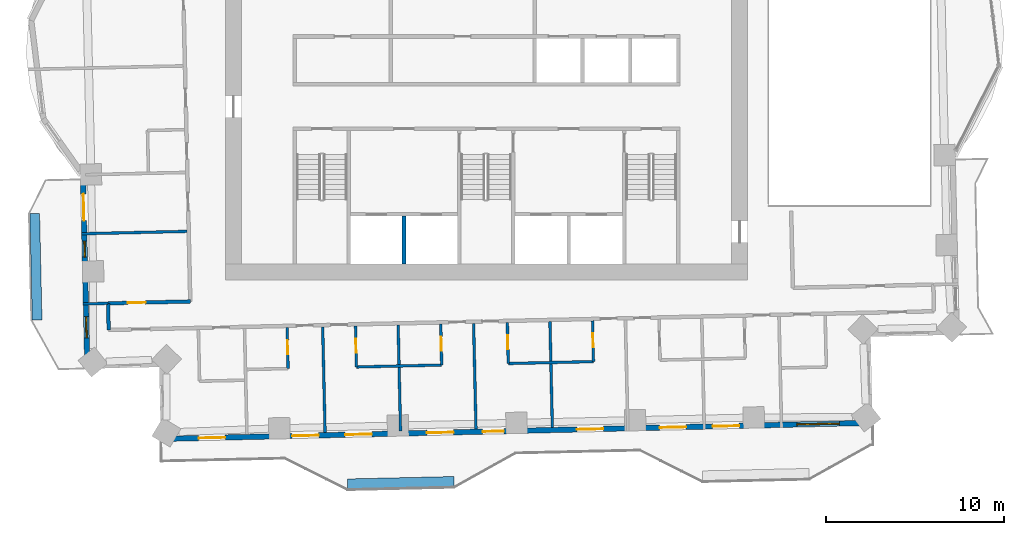
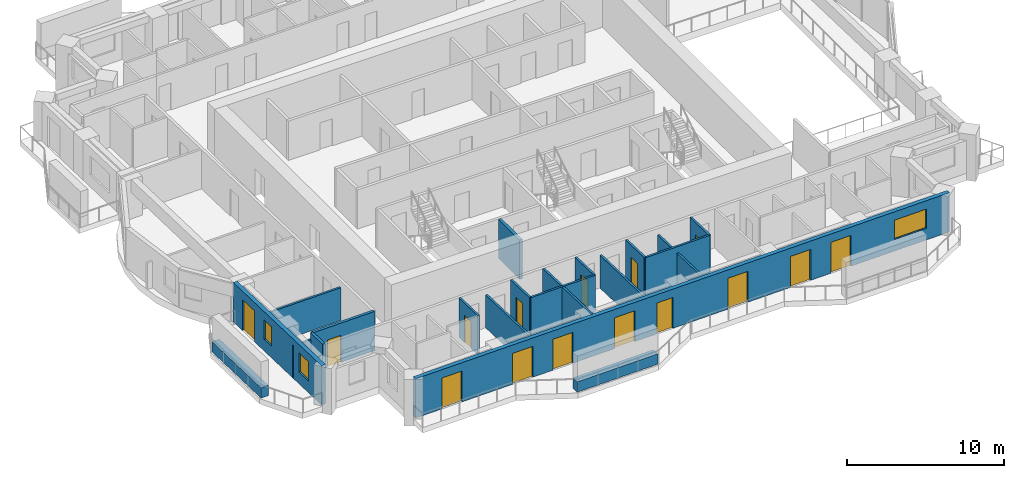
# One storey, part 4 of 14: 20 walls, 15 doors, 3 windows, 18 openings.
"""IFC4 building model written with IfcOpenShell, lengths in metres."""

from ifc_helpers import new_model, si_unit, direction, frame, frame_2d, origin, place, context, subcontext, project, spatial, rectangle, extrude, material, layer, layer_set, type_object, element, fill, save


model = new_model("IFC4")

# Units and contexts
model_context = context("Model", 3, precision=1e-05, world=origin(), true_north=direction((0.0, 1.0)))
body_context = subcontext(model_context, "Body", "Model", "MODEL_VIEW")
ifc_project = project(units=[si_unit("LENGTHUNIT", "METRE"), si_unit("AREAUNIT", "SQUARE_METRE"), si_unit("VOLUMEUNIT", "CUBIC_METRE"), si_unit("PLANEANGLEUNIT", "RADIAN"), si_unit("MASSUNIT", "GRAM", prefix="KILO")], contexts=[model_context])

# Site, building, storey
site_placement = place(None, origin())
site = spatial("IfcSite", under=ifc_project, at=site_placement, CompositionType="ELEMENT")
building_placement = place(site_placement, origin())
building = spatial("IfcBuilding", under=site, at=building_placement, Name="Mangrove Gate Tower", CompositionType="ELEMENT")
storey_placement = place(building_placement, frame((0.0, 0.0, 182.5)))
storey = spatial("IfcBuildingStorey", under=building, at=storey_placement, Name="L46", CompositionType="ELEMENT", Elevation=182.5)

# Walls
ifc_material_1 = material(Name="Concrete C60/75", Category="concrete")
ifc_layer_1 = layer(ifc_material_1, 0.199951171875)
ifc_layer_set_1 = layer_set([ifc_layer_1], Name="Core shaft wall 200 C60/75")
wall_type_1 = type_object("IfcWallType", Name="Core shaft wall 200 C60/75", PredefinedType="SHEAR", material=ifc_layer_set_1)
wall_1_placement = place(storey_placement, frame((-4.64990234375, -10.800048828125, 0.0), z_axis=(0.0, 0.0, 1.0), x_axis=(0.0, 1.0, 0.0)))
element("IfcWall", 1, at=wall_1_placement, inside=storey, type_object=wall_type_1, Name="WALL-L46-CORE-16", PredefinedType="SHEAR", context=body_context, shape_type="SweptSolid", body=[
    extrude(rectangle(XDim=2.699951171875, YDim=0.199951171875, at=frame_2d((1.35009765625, 0.0))), origin(), (0.0, 0.0, 1.0), 3.050048828125),
])
ifc_material_2 = material(Name="Gypsum board on steel stud, EI 60", Category="steel")
ifc_layer_2 = layer(ifc_material_2, 0.199951171875)
ifc_layer_set_2 = layer_set([ifc_layer_2], Name="Corridor wall EI 60")
wall_type_2 = type_object("IfcWallType", Name="Corridor wall EI 60", PredefinedType="PARTITIONING", material=ifc_layer_set_2)
wall_2_placement = place(storey_placement, frame((-21.279052734375, -14.52294921875, 0.0), z_axis=(0.0, 0.0, 1.0), x_axis=(-0.022632637625, 0.99974384905, 0.0)))
element("IfcWall", 2, at=wall_2_placement, inside=storey, type_object=wall_type_2, Name="WALL-L46-025", PredefinedType="PARTITIONING", context=body_context, shape_type="SweptSolid", body=[
    extrude(rectangle(XDim=1.49951171875, YDim=0.199951171875, at=frame_2d((0.749755859375, 0.0))), origin(), (0.0, 0.0, 1.0), 3.050048828125),
])

# Wall, opening, door
wall_3_placement = place(storey_placement, frame((-21.31298828125, -13.02392578125, 0.0), z_axis=(0.0, 0.0, 1.0), x_axis=(0.999738699021, 0.022858995594, 0.0)))
wall_3 = element("IfcWall", 3, at=wall_3_placement, inside=storey, type_object=wall_type_2, Name="WALL-L46-028", PredefinedType="PARTITIONING", context=body_context, shape_type="SweptSolid", body=[
    extrude(rectangle(XDim=4.63525390625, YDim=0.199951171875, at=frame_2d((2.317626953125, 0.0))), origin(), (0.0, 0.0, 1.0), 3.050048828125),
])
opening_1_placement = place(wall_3_placement, frame((1.116943359375, 0.0, 0.0)))
opening_1 = element("IfcOpeningElement", 4, at=opening_1_placement, cuts=wall_3, Name="Opening AD", PredefinedType="OPENING", context=body_context, shape_type="SweptSolid", body=[
    extrude(rectangle(XDim=1.0, YDim=2.10009765625, at=frame_2d((0.5, 1.050048828125))), frame((0.0, 0.10986328125, 0.0), z_axis=(0.0, -1.0, 0.0), x_axis=(1.0, 0.0, 0.0)), (0.0, 0.0, 1.0), 0.219970703125),
])
ifc_material_3 = material(Name="Timber door leaf", Category="wood")
door_type_1 = type_object("IfcDoorType", Name="Amenity door 1000", OperationType="SINGLE_SWING_LEFT", PredefinedType="DOOR", material=ifc_material_3)
door_1_placement = place(opening_1_placement, origin())
door_1 = element("IfcDoor", 5, at=door_1_placement, inside=storey, type_object=door_type_1, Name="DOOR-L46-KIT-c5b", OperationType="SINGLE_SWING_LEFT", OverallHeight=2.10009765625, OverallWidth=1.0, PredefinedType="DOOR", context=body_context, shape_type="SweptSolid", body=[
    extrude(rectangle(XDim=1.0, YDim=2.10009765625, at=frame_2d((0.5, 1.050048828125))), frame((0.0, 0.02490234375, 0.0), z_axis=(0.0, -1.0, 0.0), x_axis=(1.0, 0.0, 0.0)), (0.0, 0.0, 1.0), 0.050048828125),
])
fill(opening_1, door_1)

# Wall, openings, door, windows
ifc_material_4 = material(Name="Limestone", Category="masonry")
ifc_layer_3 = layer(ifc_material_4, 0.0400390625, Name="Limestone cladding")
ifc_material_5 = material(Name="Ventilated air gap")
ifc_layer_4 = layer(ifc_material_5, 0.0400390625, Name="Ventilated cavity")
ifc_material_6 = material(Name="Mineral wool insulation")
ifc_layer_5 = layer(ifc_material_6, 0.06005859375, Name="Insulation")
ifc_material_7 = material(Name="Breather membrane")
ifc_layer_6 = layer(ifc_material_7, 0.001953125, Name="Breather membrane")
ifc_material_8 = material(Name="Concrete C20/25 blockwork", Category="masonry")
ifc_layer_7 = layer(ifc_material_8, 0.14990234375, Name="Blockwork backing wall")
ifc_material_9 = material(Name="Gypsum plaster")
ifc_layer_8 = layer(ifc_material_9, 0.008056640625, Name="Internal plaster")
ifc_layer_set_3 = layer_set([ifc_layer_3, ifc_layer_4, ifc_layer_5, ifc_layer_6, ifc_layer_7, ifc_layer_8], Name="External wall 300 limestone cladding")
wall_type_3 = type_object("IfcWallType", Name="External wall 300 limestone cladding", PredefinedType="SOLIDWALL", material=ifc_layer_set_3)
wall_4_placement = place(storey_placement, frame((-22.72900390625, -5.72509765625, 0.0), z_axis=(0.0, 0.0, 1.0), x_axis=(0.022726014582, -0.999741730779, 0.0)))
wall_4 = element("IfcWall", 6, at=wall_4_placement, inside=storey, type_object=wall_type_3, Name="WALL-L46-W10", PredefinedType="SOLIDWALL", context=body_context, shape_type="SweptSolid", body=[
    extrude(rectangle(XDim=10.82861328125, YDim=0.300048828125, at=frame_2d((5.414306640625, 0.0))), origin(), (0.0, 0.0, 1.0), 3.050048828125),
])
opening_2_placement = place(wall_4_placement, frame((1.14208984375, 0.0, 0.0)))
opening_2 = element("IfcOpeningElement", 7, at=opening_2_placement, cuts=wall_4, Name="Opening BD1", PredefinedType="OPENING", context=body_context, shape_type="SweptSolid", body=[
    extrude(rectangle(XDim=1.5, YDim=2.39990234375, at=frame_2d((0.75, 1.199951171875))), frame((0.0, 0.159912109375, 0.0), z_axis=(0.0, -1.0, 0.0), x_axis=(1.0, 0.0, 0.0)), (0.0, 0.0, 1.0), 0.320068359375),
])
opening_3_placement = place(wall_4_placement, frame((3.798095703125, 0.0, 0.89990234375)))
opening_3 = element("IfcOpeningElement", 8, at=opening_3_placement, cuts=wall_4, Name="Opening W5", PredefinedType="OPENING", context=body_context, shape_type="SweptSolid", body=[
    extrude(rectangle(XDim=0.89990234375, YDim=1.5, at=frame_2d((0.449951171875, 0.75))), frame((0.0, 0.159912109375, 0.0), z_axis=(0.0, -1.0, 0.0), x_axis=(1.0, 0.0, 0.0)), (0.0, 0.0, 1.0), 0.320068359375),
])
opening_4_placement = place(wall_4_placement, frame((8.050048828125, 0.0, 0.89990234375)))
opening_4 = element("IfcOpeningElement", 9, at=opening_4_placement, cuts=wall_4, Name="Opening W1", PredefinedType="OPENING", context=body_context, shape_type="SweptSolid", body=[
    extrude(rectangle(XDim=1.199951171875, YDim=1.5, at=frame_2d((0.60009765625, 0.75))), frame((0.0, 0.159912109375, 0.0), z_axis=(0.0, -1.0, 0.0), x_axis=(1.0, 0.0, 0.0)), (0.0, 0.0, 1.0), 0.320068359375),
])
ifc_material_10 = material(Name="Aluminium frame with laminated clear glass", Category="aluminium")
door_type_2 = type_object("IfcDoorType", Name="Balcony sliding door 1500x2400", OperationType="SLIDING_TO_LEFT", PredefinedType="DOOR", material=ifc_material_10)
door_2_placement = place(opening_2_placement, origin())
door_2 = element("IfcDoor", 10, at=door_2_placement, inside=storey, type_object=door_type_2, Name="DOOR-L46-W10-1", OperationType="SLIDING_TO_LEFT", OverallHeight=2.39990234375, OverallWidth=1.5, PredefinedType="DOOR", context=body_context, shape_type="SweptSolid", body=[
    extrude(rectangle(XDim=1.5, YDim=2.39990234375, at=frame_2d((0.75, 1.199951171875))), frame((0.0, 0.02490234375, 0.0), z_axis=(0.0, -1.0, 0.0), x_axis=(1.0, 0.0, 0.0)), (0.0, 0.0, 1.0), 0.050048828125),
])
fill(opening_2, door_2)
ifc_material_11 = material(Name="Aluminium frame with double-glazed low-e glass", Category="aluminium")
window_type_1 = type_object("IfcWindowType", Name="Narrow window 900x1500", PartitioningType="SINGLE_PANEL", PredefinedType="WINDOW", material=ifc_material_11)
window_1_placement = place(opening_3_placement, origin())
window_1 = element("IfcWindow", 11, at=window_1_placement, inside=storey, type_object=window_type_1, Name="WIN-L46-W10-2", OverallHeight=1.5, OverallWidth=0.89990234375, PartitioningType="SINGLE_PANEL", PredefinedType="WINDOW", context=body_context, shape_type="SweptSolid", body=[
    extrude(rectangle(XDim=0.89990234375, YDim=1.5, at=frame_2d((0.449951171875, 0.75))), frame((0.0, 0.030029296875, 0.0), z_axis=(0.0, -1.0, 0.0), x_axis=(1.0, 0.0, 0.0)), (0.0, 0.0, 1.0), 0.06005859375),
])
fill(opening_3, window_1)
ifc_material_12 = material(Name="Aluminium frame with double-glazed low-e glass", Category="aluminium")
window_type_2 = type_object("IfcWindowType", Name="Side lite 1200x1500", PartitioningType="SINGLE_PANEL", PredefinedType="WINDOW", material=ifc_material_12)
window_2_placement = place(opening_4_placement, origin())
window_2 = element("IfcWindow", 12, at=window_2_placement, inside=storey, type_object=window_type_2, Name="WIN-L46-W10-3", OverallHeight=1.5, OverallWidth=1.199951171875, PartitioningType="SINGLE_PANEL", PredefinedType="WINDOW", context=body_context, shape_type="SweptSolid", body=[
    extrude(rectangle(XDim=1.199951171875, YDim=1.5, at=frame_2d((0.60009765625, 0.75))), frame((0.0, 0.030029296875, 0.0), z_axis=(0.0, -1.0, 0.0), x_axis=(1.0, 0.0, 0.0)), (0.0, 0.0, 1.0), 0.06005859375),
])
fill(opening_4, window_2)

# Wall, openings, doors, window
wall_5_placement = place(storey_placement, frame((-18.18896484375, -20.655029296875, 0.0), z_axis=(0.0, 0.0, 1.0), x_axis=(0.999742285265, 0.022701609063, 0.0)))
wall_5 = element("IfcWall", 13, at=wall_5_placement, inside=storey, type_object=wall_type_3, Name="WALL-L46-S13", PredefinedType="SOLIDWALL", context=body_context, shape_type="SweptSolid", body=[
    extrude(rectangle(XDim=39.7802734375, YDim=0.300048828125, at=frame_2d((19.89013671875, 0.0))), origin(), (0.0, 0.0, 1.0), 3.050048828125),
])
opening_5_placement = place(wall_5_placement, frame((1.972900390625, 0.0, 0.0)))
opening_5 = element("IfcOpeningElement", 14, at=opening_5_placement, cuts=wall_5, Name="Opening BD1", PredefinedType="OPENING", context=body_context, shape_type="SweptSolid", body=[
    extrude(rectangle(XDim=1.5, YDim=2.39990234375, at=frame_2d((0.75, 1.199951171875))), frame((0.0, 0.159912109375, 0.0), z_axis=(0.0, -1.0, 0.0), x_axis=(1.0, 0.0, 0.0)), (0.0, 0.0, 1.0), 0.320068359375),
])
opening_6_placement = place(wall_5_placement, frame((7.239990234375, 0.0, 0.0)))
opening_6 = element("IfcOpeningElement", 15, at=opening_6_placement, cuts=wall_5, Name="Opening BD1", PredefinedType="OPENING", context=body_context, shape_type="SweptSolid", body=[
    extrude(rectangle(XDim=1.5, YDim=2.39990234375, at=frame_2d((0.75, 1.199951171875))), frame((0.0, 0.159912109375, 0.0), z_axis=(0.0, -1.0, 0.0), x_axis=(1.0, 0.0, 0.0)), (0.0, 0.0, 1.0), 0.320068359375),
])
opening_7_placement = place(wall_5_placement, frame((10.22998046875, 0.0, 0.0)))
opening_7 = element("IfcOpeningElement", 16, at=opening_7_placement, cuts=wall_5, Name="Opening BD1", PredefinedType="OPENING", context=body_context, shape_type="SweptSolid", body=[
    extrude(rectangle(XDim=1.5, YDim=2.39990234375, at=frame_2d((0.75, 1.199951171875))), frame((0.0, 0.159912109375, 0.0), z_axis=(0.0, -1.0, 0.0), x_axis=(1.0, 0.0, 0.0)), (0.0, 0.0, 1.0), 0.320068359375),
])
opening_8_placement = place(wall_5_placement, frame((14.830078125, 0.0, 0.0)))
opening_8 = element("IfcOpeningElement", 17, at=opening_8_placement, cuts=wall_5, Name="Opening BD1", PredefinedType="OPENING", context=body_context, shape_type="SweptSolid", body=[
    extrude(rectangle(XDim=1.5, YDim=2.39990234375, at=frame_2d((0.75, 1.199951171875))), frame((0.0, 0.159912109375, 0.0), z_axis=(0.0, -1.0, 0.0), x_axis=(1.0, 0.0, 0.0)), (0.0, 0.0, 1.0), 0.320068359375),
])
opening_9_placement = place(wall_5_placement, frame((17.969970703125, 0.0, 0.0)))
opening_9 = element("IfcOpeningElement", 18, at=opening_9_placement, cuts=wall_5, Name="Opening BD2", PredefinedType="OPENING", context=body_context, shape_type="SweptSolid", body=[
    extrude(rectangle(XDim=1.199951171875, YDim=2.39990234375, at=frame_2d((0.60009765625, 1.199951171875))), frame((0.0, 0.159912109375, 0.0), z_axis=(0.0, -1.0, 0.0), x_axis=(1.0, 0.0, 0.0)), (0.0, 0.0, 1.0), 0.320068359375),
])
opening_10_placement = place(wall_5_placement, frame((23.27490234375, 0.0, 0.0)))
opening_10 = element("IfcOpeningElement", 19, at=opening_10_placement, cuts=wall_5, Name="Opening BD1", PredefinedType="OPENING", context=body_context, shape_type="SweptSolid", body=[
    extrude(rectangle(XDim=1.5, YDim=2.39990234375, at=frame_2d((0.75, 1.199951171875))), frame((0.0, 0.159912109375, 0.0), z_axis=(0.0, -1.0, 0.0), x_axis=(1.0, 0.0, 0.0)), (0.0, 0.0, 1.0), 0.320068359375),
])
opening_11_placement = place(wall_5_placement, frame((27.93505859375, 0.0, 0.0)))
opening_11 = element("IfcOpeningElement", 20, at=opening_11_placement, cuts=wall_5, Name="Opening BD1", PredefinedType="OPENING", context=body_context, shape_type="SweptSolid", body=[
    extrude(rectangle(XDim=1.5, YDim=2.39990234375, at=frame_2d((0.75, 1.199951171875))), frame((0.0, 0.159912109375, 0.0), z_axis=(0.0, -1.0, 0.0), x_axis=(1.0, 0.0, 0.0)), (0.0, 0.0, 1.0), 0.320068359375),
])
opening_12_placement = place(wall_5_placement, frame((30.925048828125, 0.0, 0.0)))
opening_12 = element("IfcOpeningElement", 21, at=opening_12_placement, cuts=wall_5, Name="Opening BD1", PredefinedType="OPENING", context=body_context, shape_type="SweptSolid", body=[
    extrude(rectangle(XDim=1.5, YDim=2.39990234375, at=frame_2d((0.75, 1.199951171875))), frame((0.0, 0.159912109375, 0.0), z_axis=(0.0, -1.0, 0.0), x_axis=(1.0, 0.0, 0.0)), (0.0, 0.0, 1.0), 0.320068359375),
])
opening_13_placement = place(wall_5_placement, frame((35.6650390625, 0.0, 0.89990234375)))
opening_13 = element("IfcOpeningElement", 22, at=opening_13_placement, cuts=wall_5, Name="Opening W2", PredefinedType="OPENING", context=body_context, shape_type="SweptSolid", body=[
    extrude(rectangle(XDim=2.39990234375, YDim=1.5, at=frame_2d((1.199951171875, 0.75))), frame((0.0, 0.159912109375, 0.0), z_axis=(0.0, -1.0, 0.0), x_axis=(1.0, 0.0, 0.0)), (0.0, 0.0, 1.0), 0.320068359375),
])
ifc_material_13 = material(Name="Aluminium frame with laminated clear glass", Category="aluminium")
door_type_3 = type_object("IfcDoorType", Name="Balcony sliding door 1200x2400", OperationType="SLIDING_TO_LEFT", PredefinedType="DOOR", material=ifc_material_13)
door_3_placement = place(opening_9_placement, origin())
door_3 = element("IfcDoor", 23, at=door_3_placement, inside=storey, type_object=door_type_3, Name="DOOR-L46-S13-5", OperationType="SLIDING_TO_LEFT", OverallHeight=2.39990234375, OverallWidth=1.199951171875, PredefinedType="DOOR", context=body_context, shape_type="SweptSolid", body=[
    extrude(rectangle(XDim=1.199951171875, YDim=2.39990234375, at=frame_2d((0.60009765625, 1.199951171875))), frame((0.0, 0.02490234375, 0.0), z_axis=(0.0, -1.0, 0.0), x_axis=(1.0, 0.0, 0.0)), (0.0, 0.0, 1.0), 0.050048828125),
])
fill(opening_9, door_3)
door_4_placement = place(opening_5_placement, origin())
door_4 = element("IfcDoor", 24, at=door_4_placement, inside=storey, type_object=door_type_2, Name="DOOR-L46-S13-1", OperationType="SLIDING_TO_LEFT", OverallHeight=2.39990234375, OverallWidth=1.5, PredefinedType="DOOR", context=body_context, shape_type="SweptSolid", body=[
    extrude(rectangle(XDim=1.5, YDim=2.39990234375, at=frame_2d((0.75, 1.199951171875))), frame((0.0, 0.02490234375, 0.0), z_axis=(0.0, -1.0, 0.0), x_axis=(1.0, 0.0, 0.0)), (0.0, 0.0, 1.0), 0.050048828125),
])
fill(opening_5, door_4)
door_5_placement = place(opening_6_placement, origin())
door_5 = element("IfcDoor", 25, at=door_5_placement, inside=storey, type_object=door_type_2, Name="DOOR-L46-S13-2", OperationType="SLIDING_TO_LEFT", OverallHeight=2.39990234375, OverallWidth=1.5, PredefinedType="DOOR", context=body_context, shape_type="SweptSolid", body=[
    extrude(rectangle(XDim=1.5, YDim=2.39990234375, at=frame_2d((0.75, 1.199951171875))), frame((0.0, 0.02490234375, 0.0), z_axis=(0.0, -1.0, 0.0), x_axis=(1.0, 0.0, 0.0)), (0.0, 0.0, 1.0), 0.050048828125),
])
fill(opening_6, door_5)
door_6_placement = place(opening_7_placement, origin())
door_6 = element("IfcDoor", 26, at=door_6_placement, inside=storey, type_object=door_type_2, Name="DOOR-L46-S13-3", OperationType="SLIDING_TO_LEFT", OverallHeight=2.39990234375, OverallWidth=1.5, PredefinedType="DOOR", context=body_context, shape_type="SweptSolid", body=[
    extrude(rectangle(XDim=1.5, YDim=2.39990234375, at=frame_2d((0.75, 1.199951171875))), frame((0.0, 0.02490234375, 0.0), z_axis=(0.0, -1.0, 0.0), x_axis=(1.0, 0.0, 0.0)), (0.0, 0.0, 1.0), 0.050048828125),
])
fill(opening_7, door_6)
door_7_placement = place(opening_8_placement, origin())
door_7 = element("IfcDoor", 27, at=door_7_placement, inside=storey, type_object=door_type_2, Name="DOOR-L46-S13-4", OperationType="SLIDING_TO_LEFT", OverallHeight=2.39990234375, OverallWidth=1.5, PredefinedType="DOOR", context=body_context, shape_type="SweptSolid", body=[
    extrude(rectangle(XDim=1.5, YDim=2.39990234375, at=frame_2d((0.75, 1.199951171875))), frame((0.0, 0.02490234375, 0.0), z_axis=(0.0, -1.0, 0.0), x_axis=(1.0, 0.0, 0.0)), (0.0, 0.0, 1.0), 0.050048828125),
])
fill(opening_8, door_7)
door_8_placement = place(opening_10_placement, origin())
door_8 = element("IfcDoor", 28, at=door_8_placement, inside=storey, type_object=door_type_2, Name="DOOR-L46-S13-6", OperationType="SLIDING_TO_LEFT", OverallHeight=2.39990234375, OverallWidth=1.5, PredefinedType="DOOR", context=body_context, shape_type="SweptSolid", body=[
    extrude(rectangle(XDim=1.5, YDim=2.39990234375, at=frame_2d((0.75, 1.199951171875))), frame((0.0, 0.02490234375, 0.0), z_axis=(0.0, -1.0, 0.0), x_axis=(1.0, 0.0, 0.0)), (0.0, 0.0, 1.0), 0.050048828125),
])
fill(opening_10, door_8)
door_9_placement = place(opening_11_placement, origin())
door_9 = element("IfcDoor", 29, at=door_9_placement, inside=storey, type_object=door_type_2, Name="DOOR-L46-S13-7", OperationType="SLIDING_TO_LEFT", OverallHeight=2.39990234375, OverallWidth=1.5, PredefinedType="DOOR", context=body_context, shape_type="SweptSolid", body=[
    extrude(rectangle(XDim=1.5, YDim=2.39990234375, at=frame_2d((0.75, 1.199951171875))), frame((0.0, 0.02490234375, 0.0), z_axis=(0.0, -1.0, 0.0), x_axis=(1.0, 0.0, 0.0)), (0.0, 0.0, 1.0), 0.050048828125),
])
fill(opening_11, door_9)
door_10_placement = place(opening_12_placement, origin())
door_10 = element("IfcDoor", 30, at=door_10_placement, inside=storey, type_object=door_type_2, Name="DOOR-L46-S13-8", OperationType="SLIDING_TO_LEFT", OverallHeight=2.39990234375, OverallWidth=1.5, PredefinedType="DOOR", context=body_context, shape_type="SweptSolid", body=[
    extrude(rectangle(XDim=1.5, YDim=2.39990234375, at=frame_2d((0.75, 1.199951171875))), frame((0.0, 0.02490234375, 0.0), z_axis=(0.0, -1.0, 0.0), x_axis=(1.0, 0.0, 0.0)), (0.0, 0.0, 1.0), 0.050048828125),
])
fill(opening_12, door_10)
ifc_material_14 = material(Name="Aluminium frame with double-glazed low-e glass", Category="aluminium")
window_type_3 = type_object("IfcWindowType", Name="Corner room window 2400x1500", PartitioningType="DOUBLE_PANEL_VERTICAL", PredefinedType="WINDOW", material=ifc_material_14)
window_3_placement = place(opening_13_placement, origin())
window_3 = element("IfcWindow", 31, at=window_3_placement, inside=storey, type_object=window_type_3, Name="WIN-L46-S13-9", OverallHeight=1.5, OverallWidth=2.39990234375, PartitioningType="DOUBLE_PANEL_VERTICAL", PredefinedType="WINDOW", context=body_context, shape_type="SweptSolid", body=[
    extrude(rectangle(XDim=2.39990234375, YDim=1.5, at=frame_2d((1.199951171875, 0.75))), frame((0.0, 0.030029296875, 0.0), z_axis=(0.0, -1.0, 0.0), x_axis=(1.0, 0.0, 0.0)), (0.0, 0.0, 1.0), 0.06005859375),
])
fill(opening_13, window_3)

# Walls
ifc_material_15 = material(Name="Gypsum board on steel stud, EI 60", Category="steel")
ifc_layer_9 = layer(ifc_material_15, 0.14990234375)
ifc_layer_set_4 = layer_set([ifc_layer_9], Name="Party wall 150 EI 60")
wall_type_4 = type_object("IfcWallType", Name="Party wall 150 EI 60", PredefinedType="PARTITIONING", material=ifc_layer_set_4)
wall_6_placement = place(storey_placement, frame((-9.094970703125, -20.298095703125, 0.0), z_axis=(0.0, 0.0, 1.0), x_axis=(-0.022692509051, 0.999742491861, 0.0)))
element("IfcWall", 32, at=wall_6_placement, inside=storey, type_object=wall_type_4, Name="WALL-L46-002", PredefinedType="PARTITIONING", context=body_context, shape_type="SweptSolid", body=[
    extrude(rectangle(XDim=5.949462890625, YDim=0.14990234375, at=frame_2d((2.974609375, 0.0))), origin(), (0.0, 0.0, 1.0), 2.550048828125),
])
wall_7_placement = place(storey_placement, frame((-4.845947265625, -20.201904296875, 0.0), z_axis=(0.0, 0.0, 1.0), x_axis=(-0.022688785847, 0.999742576365, 0.0)))
element("IfcWall", 33, at=wall_7_placement, inside=storey, type_object=wall_type_4, Name="WALL-L46-003", PredefinedType="PARTITIONING", context=body_context, shape_type="SweptSolid", body=[
    extrude(rectangle(XDim=5.950439453125, YDim=0.14990234375, at=frame_2d((2.97509765625, 0.0))), origin(), (0.0, 0.0, 1.0), 3.050048828125),
])
for number, where, z_axis, x_axis, name in (
    (34, (-0.596923828125, -20.10595703125, 0.0), (0.0, 0.0, 1.0), (-0.022688785847, 0.999742576365, 0.0), "WALL-L46-004"),
    (35, (3.701904296875, -20.008056640625, 0.0), (0.0, 0.0, 1.0), (-0.022688785847, 0.999742576365, 0.0), "WALL-L46-005"),
):
    element("IfcWall", number, at=place(storey_placement, frame(where, z_axis=z_axis, x_axis=x_axis)), inside=storey, type_object=wall_type_4, Name=name, PredefinedType="PARTITIONING", context=body_context, shape_type="SweptSolid", body=[
        extrude(rectangle(XDim=5.950439453125, YDim=0.14990234375, at=frame_2d((2.97509765625, 0.0))), origin(), (0.0, 0.0, 1.0), 2.550048828125),
    ])

# Wall, opening, door
wall_8_placement = place(storey_placement, frame((-11.177001953125, -16.695068359375, 0.0), z_axis=(0.0, 0.0, 1.0), x_axis=(-0.022603288534, 0.999744513037, 0.0)))
wall_8 = element("IfcWall", 36, at=wall_8_placement, inside=storey, type_object=wall_type_4, Name="WALL-L46-014", PredefinedType="PARTITIONING", context=body_context, shape_type="SweptSolid", body=[
    extrude(rectangle(XDim=2.300537109375, YDim=0.14990234375, at=frame_2d((1.150390625, 0.0))), origin(), (0.0, 0.0, 1.0), 3.050048828125),
])
opening_14_placement = place(wall_8_placement, frame((0.800048828125, 0.0, 0.0)))
opening_14 = element("IfcOpeningElement", 37, at=opening_14_placement, cuts=wall_8, Name="Opening ED", PredefinedType="OPENING", context=body_context, shape_type="SweptSolid", body=[
    extrude(rectangle(XDim=0.800048828125, YDim=2.10009765625, at=frame_2d((0.39990234375, 1.050048828125))), frame((0.0, 0.0849609375, 0.0), z_axis=(0.0, -1.0, 0.0), x_axis=(1.0, 0.0, 0.0)), (0.0, 0.0, 1.0), 0.169921875),
])
ifc_material_16 = material(Name="Timber door leaf", Category="wood")
door_type_4 = type_object("IfcDoorType", Name="En-suite door 800", OperationType="SINGLE_SWING_LEFT", PredefinedType="DOOR", material=ifc_material_16)
door_11_placement = place(opening_14_placement, origin())
door_11 = element("IfcDoor", 38, at=door_11_placement, inside=storey, type_object=door_type_4, Name="DOOR-L46-ENS-c101", OperationType="SINGLE_SWING_LEFT", OverallHeight=2.10009765625, OverallWidth=0.800048828125, PredefinedType="DOOR", context=body_context, shape_type="SweptSolid", body=[
    extrude(rectangle(XDim=0.800048828125, YDim=2.10009765625, at=frame_2d((0.39990234375, 1.050048828125))), frame((0.0, 0.02490234375, 0.0), z_axis=(0.0, -1.0, 0.0), x_axis=(1.0, 0.0, 0.0)), (0.0, 0.0, 1.0), 0.050048828125),
])
fill(opening_14, door_11)

# Wall
wall_9_placement = place(storey_placement, frame((-7.327880859375, -16.60693359375, 0.0), z_axis=(0.0, 0.0, 1.0), x_axis=(0.999742675121, 0.022684433919, 0.0)))
element("IfcWall", 39, at=wall_9_placement, inside=storey, type_object=wall_type_4, Name="WALL-L46-015", PredefinedType="PARTITIONING", context=body_context, shape_type="SweptSolid", body=[
    extrude(rectangle(XDim=4.800048828125, YDim=0.14990234375, at=frame_2d((2.39990234375, 0.0))), origin(), (0.0, 0.0, 1.0), 3.050048828125),
])

# Wall, opening, door
wall_10_placement = place(storey_placement, frame((-7.327880859375, -16.60693359375, 0.0), z_axis=(0.0, 0.0, 1.0), x_axis=(-0.022615284993, 0.999744241736, 0.0)))
wall_10 = element("IfcWall", 40, at=wall_10_placement, inside=storey, type_object=wall_type_4, Name="WALL-L46-016", PredefinedType="PARTITIONING", context=body_context, shape_type="SweptSolid", body=[
    extrude(rectangle(XDim=2.29931640625, YDim=0.14990234375, at=frame_2d((1.149658203125, 0.0))), origin(), (0.0, 0.0, 1.0), 3.050048828125),
])
opening_15_placement = place(wall_10_placement, frame((0.800048828125, 0.0, 0.0)))
opening_15 = element("IfcOpeningElement", 41, at=opening_15_placement, cuts=wall_10, Name="Opening ED", PredefinedType="OPENING", context=body_context, shape_type="SweptSolid", body=[
    extrude(rectangle(XDim=0.800048828125, YDim=2.10009765625, at=frame_2d((0.39990234375, 1.050048828125))), frame((0.0, 0.0849609375, 0.0), z_axis=(0.0, -1.0, 0.0), x_axis=(1.0, 0.0, 0.0)), (0.0, 0.0, 1.0), 0.169921875),
])
door_12_placement = place(opening_15_placement, origin())
door_12 = element("IfcDoor", 42, at=door_12_placement, inside=storey, type_object=door_type_4, Name="DOOR-L46-ENS-c102", OperationType="SINGLE_SWING_RIGHT", OverallHeight=2.10009765625, OverallWidth=0.800048828125, PredefinedType="DOOR", context=body_context, shape_type="SweptSolid", body=[
    extrude(rectangle(XDim=0.800048828125, YDim=2.10009765625, at=frame_2d((0.39990234375, 1.050048828125))), frame((0.0, 0.02490234375, 0.0), z_axis=(0.0, -1.0, 0.0), x_axis=(1.0, 0.0, 0.0)), (0.0, 0.0, 1.0), 0.050048828125),
])
fill(opening_15, door_12)

wall_11_placement = place(storey_placement, frame((-2.529052734375, -16.498046875, 0.0), z_axis=(0.0, 0.0, 1.0), x_axis=(-0.023037316498, 0.999734605807, 0.0)))
wall_11 = element("IfcWall", 43, at=wall_11_placement, inside=storey, type_object=wall_type_4, Name="WALL-L46-017", PredefinedType="PARTITIONING", context=body_context, shape_type="SweptSolid", body=[
    extrude(rectangle(XDim=2.299560546875, YDim=0.14990234375, at=frame_2d((1.14990234375, 0.0))), origin(), (0.0, 0.0, 1.0), 3.050048828125),
])
opening_16_placement = place(wall_11_placement, frame((0.800048828125, 0.0, 0.0)))
opening_16 = element("IfcOpeningElement", 44, at=opening_16_placement, cuts=wall_11, Name="Opening ED", PredefinedType="OPENING", context=body_context, shape_type="SweptSolid", body=[
    extrude(rectangle(XDim=0.800048828125, YDim=2.10009765625, at=frame_2d((0.39990234375, 1.050048828125))), frame((0.0, 0.0849609375, 0.0), z_axis=(0.0, -1.0, 0.0), x_axis=(1.0, 0.0, 0.0)), (0.0, 0.0, 1.0), 0.169921875),
])
door_13_placement = place(opening_16_placement, origin())
door_13 = element("IfcDoor", 45, at=door_13_placement, inside=storey, type_object=door_type_4, Name="DOOR-L46-ENS-c103", OperationType="SINGLE_SWING_LEFT", OverallHeight=2.10009765625, OverallWidth=0.800048828125, PredefinedType="DOOR", context=body_context, shape_type="SweptSolid", body=[
    extrude(rectangle(XDim=0.800048828125, YDim=2.10009765625, at=frame_2d((0.39990234375, 1.050048828125))), frame((0.0, 0.02490234375, 0.0), z_axis=(0.0, -1.0, 0.0), x_axis=(1.0, 0.0, 0.0)), (0.0, 0.0, 1.0), 0.050048828125),
])
fill(opening_16, door_13)

# Wall
wall_12_placement = place(storey_placement, frame((1.219970703125, -16.4130859375, 0.0), z_axis=(0.0, 0.0, 1.0), x_axis=(0.999741441463, 0.022738738327, 0.0)))
element("IfcWall", 46, at=wall_12_placement, inside=storey, type_object=wall_type_4, Name="WALL-L46-018", PredefinedType="PARTITIONING", context=body_context, shape_type="SweptSolid", body=[
    extrude(rectangle(XDim=4.79931640625, YDim=0.14990234375, at=frame_2d((2.399658203125, 0.0))), origin(), (0.0, 0.0, 1.0), 3.050048828125),
])

# Wall, opening, door
wall_13_placement = place(storey_placement, frame((1.219970703125, -16.4130859375, 0.0), z_axis=(0.0, 0.0, 1.0), x_axis=(-0.022612884682, 0.999744296031, 0.0)))
wall_13 = element("IfcWall", 47, at=wall_13_placement, inside=storey, type_object=wall_type_4, Name="WALL-L46-019", PredefinedType="PARTITIONING", context=body_context, shape_type="SweptSolid", body=[
    extrude(rectangle(XDim=2.299560546875, YDim=0.14990234375, at=frame_2d((1.14990234375, 0.0))), origin(), (0.0, 0.0, 1.0), 3.050048828125),
])
opening_17_placement = place(wall_13_placement, frame((0.800048828125, 0.0, 0.0)))
opening_17 = element("IfcOpeningElement", 48, at=opening_17_placement, cuts=wall_13, Name="Opening ED", PredefinedType="OPENING", context=body_context, shape_type="SweptSolid", body=[
    extrude(rectangle(XDim=0.800048828125, YDim=2.10009765625, at=frame_2d((0.39990234375, 1.050048828125))), frame((0.0, 0.0849609375, 0.0), z_axis=(0.0, -1.0, 0.0), x_axis=(1.0, 0.0, 0.0)), (0.0, 0.0, 1.0), 0.169921875),
])
door_14_placement = place(opening_17_placement, origin())
door_14 = element("IfcDoor", 49, at=door_14_placement, inside=storey, type_object=door_type_4, Name="DOOR-L46-ENS-c204", OperationType="SINGLE_SWING_RIGHT", OverallHeight=2.10009765625, OverallWidth=0.800048828125, PredefinedType="DOOR", context=body_context, shape_type="SweptSolid", body=[
    extrude(rectangle(XDim=0.800048828125, YDim=2.10009765625, at=frame_2d((0.39990234375, 1.050048828125))), frame((0.0, 0.02490234375, 0.0), z_axis=(0.0, -1.0, 0.0), x_axis=(1.0, 0.0, 0.0)), (0.0, 0.0, 1.0), 0.050048828125),
])
fill(opening_17, door_14)

wall_14_placement = place(storey_placement, frame((6.01806640625, -16.303955078125, 0.0), z_axis=(0.0, 0.0, 1.0), x_axis=(-0.022612884682, 0.999744296031, 0.0)))
wall_14 = element("IfcWall", 50, at=wall_14_placement, inside=storey, type_object=wall_type_4, Name="WALL-L46-020", PredefinedType="PARTITIONING", context=body_context, shape_type="SweptSolid", body=[
    extrude(rectangle(XDim=2.299560546875, YDim=0.14990234375, at=frame_2d((1.14990234375, 0.0))), origin(), (0.0, 0.0, 1.0), 3.050048828125),
])
opening_18_placement = place(wall_14_placement, frame((0.800048828125, 0.0, 0.0)))
opening_18 = element("IfcOpeningElement", 51, at=opening_18_placement, cuts=wall_14, Name="Opening ED", PredefinedType="OPENING", context=body_context, shape_type="SweptSolid", body=[
    extrude(rectangle(XDim=0.800048828125, YDim=2.10009765625, at=frame_2d((0.39990234375, 1.050048828125))), frame((0.0, 0.0849609375, 0.0), z_axis=(0.0, -1.0, 0.0), x_axis=(1.0, 0.0, 0.0)), (0.0, 0.0, 1.0), 0.169921875),
])
door_15_placement = place(opening_18_placement, origin())
door_15 = element("IfcDoor", 52, at=door_15_placement, inside=storey, type_object=door_type_4, Name="DOOR-L46-ENS-c205", OperationType="SINGLE_SWING_LEFT", OverallHeight=2.10009765625, OverallWidth=0.800048828125, PredefinedType="DOOR", context=body_context, shape_type="SweptSolid", body=[
    extrude(rectangle(XDim=0.800048828125, YDim=2.10009765625, at=frame_2d((0.39990234375, 1.050048828125))), frame((0.0, 0.02490234375, 0.0), z_axis=(0.0, -1.0, 0.0), x_axis=(1.0, 0.0, 0.0)), (0.0, 0.0, 1.0), 0.050048828125),
])
fill(opening_18, door_15)

# Walls
wall_15_placement = place(storey_placement, frame((-22.712890625, -13.054931640625, 0.0), z_axis=(0.0, 0.0, 1.0), x_axis=(0.999756172383, 0.022081571112, 0.0)))
element("IfcWall", 53, at=wall_15_placement, inside=storey, type_object=wall_type_4, Name="WALL-L46-027", PredefinedType="PARTITIONING", context=body_context, shape_type="SweptSolid", body=[
    extrude(rectangle(XDim=1.404052734375, YDim=0.14990234375, at=frame_2d((0.7021484375, 0.0))), origin(), (0.0, 0.0, 1.0), 2.550048828125),
])
wall_16_placement = place(storey_placement, frame((-22.802001953125, -9.10595703125, 0.0), z_axis=(0.0, 0.0, 1.0), x_axis=(0.999744927012, 0.022584970987, 0.0)))
element("IfcWall", 54, at=wall_16_placement, inside=storey, type_object=wall_type_4, Name="WALL-L46-033", PredefinedType="PARTITIONING", context=body_context, shape_type="SweptSolid", body=[
    extrude(rectangle(XDim=5.9345703125, YDim=0.14990234375, at=frame_2d((2.96728515625, 0.0))), origin(), (0.0, 0.0, 1.0), 2.550048828125),
])
ifc_material_17 = material(Name="Concrete C32/40", Category="concrete")
ifc_layer_10 = layer(ifc_material_17, 0.199951171875, Name="Planter trough wall")
ifc_material_18 = material(Name="Bituminous waterproofing membrane")
ifc_layer_11 = layer(ifc_material_18, 0.0048828125, Name="Waterproofing")
ifc_material_19 = material(Name="Drainage board and gravel")
ifc_layer_12 = layer(ifc_material_19, 0.044921875, Name="Drainage layer")
ifc_material_20 = material(Name="Planting soil")
ifc_layer_13 = layer(ifc_material_20, 0.300048828125, Name="Growing medium")
ifc_layer_set_5 = layer_set([ifc_layer_10, ifc_layer_11, ifc_layer_12, ifc_layer_13], Name="Planter wall 550 C32/40")
wall_type_5 = type_object("IfcWallType", Name="Planter wall 550 C32/40", PredefinedType="USERDEFINED", material=ifc_layer_set_5)
for number, where, z_axis, x_axis, name in (
    (55, (-25.30810546875, -13.965087890625, 0.0), (0.0, 0.0, 1.0), (-0.022662255828, 0.999743178102, 0.0), "PLANTER L46 W1.1"),
    (56, (-7.839111328125, -23.18603515625, 0.0), (0.0, 0.0, 1.0), (0.999739477659, 0.022824916448, 0.0), "PLANTER L46 S0.1"),
):
    element("IfcWall", number, at=place(storey_placement, frame(where, z_axis=z_axis, x_axis=x_axis)), inside=storey, type_object=wall_type_5, Name=name, ObjectType="PLANTER", PredefinedType="USERDEFINED", context=body_context, shape_type="SweptSolid", body=[
        extrude(rectangle(XDim=6.00048828125, YDim=0.550048828125, at=frame_2d((3.000244140625, 0.0))), origin(), (0.0, 0.0, 1.0), 0.800048828125),
    ])

save(model, "model.ifc")
